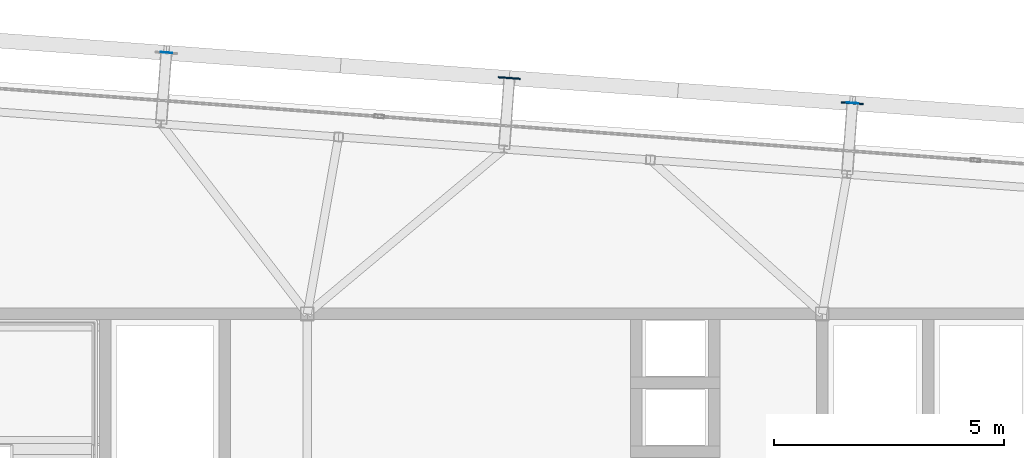
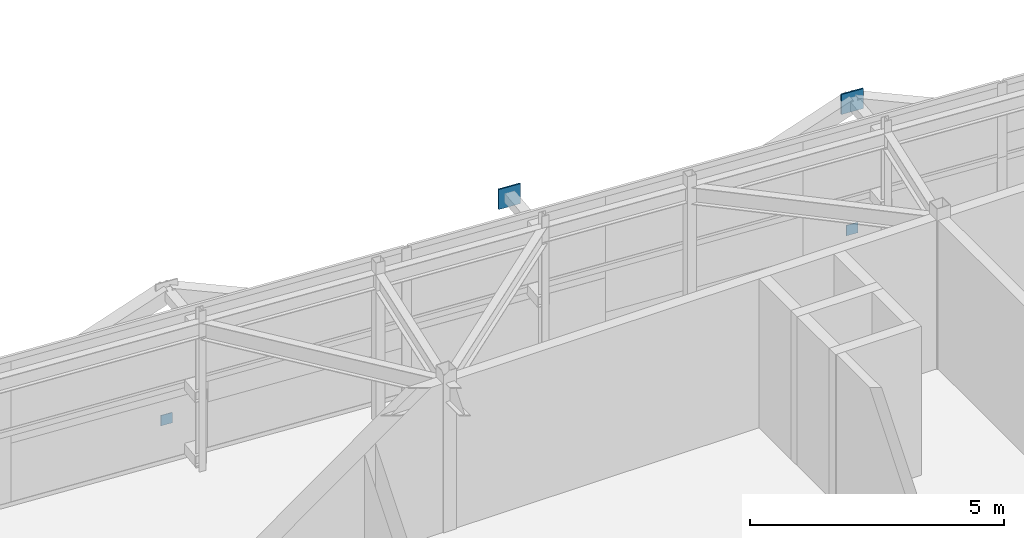
# One storey, part 29 of 35: 4 plates.
"""IFC4 building model written with IfcOpenShell, lengths in metres."""

import ifcopenshell
import ifcopenshell.guid

model = None  # the IFC model being written
_history = None  # IfcOwnerHistory: only IFC2X3 demands one
_inside = {}  # id of a spatial element -> (the spatial element, [elements in it])
_under = {}  # id of a project, library or spatial element -> (it, [spatial elements below it])
_declared = {}  # id of a project -> (the project, [libraries it declares])
_typed = {}  # id of a type object -> (the type object, [elements of that type])
_made_of = {}  # id of a material, layer set ... -> (it, [elements and type objects made of it])


def new_model(schema):
    """Start an empty IFC model of exactly this schema.

    Asked for "IFC4X3", IfcOpenShell would pick the latest addendum, in which some entities
    have other attributes; the version numbers below select the first issue.
    IFC2X3 requires an IfcOwnerHistory on every rooted entity: one is made here for all.
    """
    global model, _history
    if schema == "IFC4X3":
        model = ifcopenshell.file(schema_version=(4, 3, 0, 0))
    else:
        model = ifcopenshell.file(schema=schema)
    _inside.clear()
    _under.clear()
    _declared.clear()
    _typed.clear()
    _made_of.clear()
    _history = None
    if model.schema == "IFC2X3":
        org = make("IfcOrganization", Name="unknown")
        user = make(
            "IfcPersonAndOrganization",
            ThePerson=make("IfcPerson", FamilyName="unknown"),
            TheOrganization=org,
        )
        app = make(
            "IfcApplication",
            ApplicationDeveloper=org,
            Version="unknown",
            ApplicationFullName="unknown",
            ApplicationIdentifier="unknown",
        )
        _history = make(
            "IfcOwnerHistory",
            OwningUser=user,
            OwningApplication=app,
            ChangeAction="ADDED",
            CreationDate=0,
        )
    return model


def make(cls, **values):
    """One entity of the class cls with the attributes given. An attribute that is None is left unset."""
    return model.create_entity(
        cls, **{name: value for name, value in values.items() if value is not None}
    )


def rooted(cls, **values):
    """An entity with a GlobalId (a new one), such as an element, a storey or a relation."""
    return make(cls, GlobalId=ifcopenshell.guid.new(), OwnerHistory=_history, **values)


def si_unit(unit_type, name, prefix=None):
    """IfcSIUnit, for example si_unit("LENGTHUNIT", "METRE", prefix="MILLI")."""
    return make("IfcSIUnit", UnitType=unit_type, Prefix=prefix, Name=name)


def assignment(units):
    """IfcUnitAssignment: the units of a project."""
    return None if units is None else make("IfcUnitAssignment", Units=units)


def point(xyz):
    """IfcCartesianPoint."""
    return None if xyz is None else make("IfcCartesianPoint", Coordinates=xyz)


def direction(xyz):
    """IfcDirection."""
    return None if xyz is None else make("IfcDirection", DirectionRatios=xyz)


def frame(location, z_axis=None, x_axis=None):
    """IfcAxis2Placement3D, a coordinate frame: its origin and axes. An axis left out is left unset."""
    return make(
        "IfcAxis2Placement3D",
        Location=point(location),
        Axis=direction(z_axis),
        RefDirection=direction(x_axis),
    )


def frame_2d(location, x_axis=None):
    """IfcAxis2Placement2D, a coordinate frame in the plane: its origin and x axis."""
    return make(
        "IfcAxis2Placement2D", Location=point(location), RefDirection=direction(x_axis)
    )


def origin():
    """The frame at (0, 0, 0) with its axes left unset."""
    return frame((0.0, 0.0, 0.0))


def origin_2d():
    """The frame at (0, 0) in the plane with its x axis left unset."""
    return frame_2d((0.0, 0.0))


def place(relative_to, where):
    """IfcLocalPlacement: puts the frame where relative to a parent placement (None: the world)."""
    return make(
        "IfcLocalPlacement", PlacementRelTo=relative_to, RelativePlacement=where
    )


def context(
    kind, dimensions, precision=None, world=None, true_north=None, identifier=None
):
    """IfcGeometricRepresentationContext, for example the 3D "Model" context."""
    return make(
        "IfcGeometricRepresentationContext",
        ContextIdentifier=identifier,
        ContextType=kind,
        CoordinateSpaceDimension=dimensions,
        Precision=precision,
        WorldCoordinateSystem=world,
        TrueNorth=true_north,
    )


def subcontext(parent, identifier, kind, view, scale=None):
    """IfcGeometricRepresentationSubContext, for example "Body" below "Model"."""
    return make(
        "IfcGeometricRepresentationSubContext",
        ContextIdentifier=identifier,
        ContextType=kind,
        ParentContext=parent,
        TargetScale=scale,
        TargetView=view,
    )


def project(units=None, contexts=None):
    """IfcProject with its units and contexts."""
    return rooted(
        "IfcProject",
        Name="project",
        RepresentationContexts=contexts,
        UnitsInContext=assignment(units),
    )


def spatial(cls, under=None, at=None, **own):
    """A site, building, storey or space (cls), placed at a placement, below another one or the project."""
    s = rooted(cls, ObjectPlacement=at, **own)
    if under is not None:
        _under.setdefault(under.id(), (under, []))[1].append(s)
    return s


def profile(cls, at=None, kind="AREA", **sizes):
    """A parametric profile (cls). Its sizes go by their IFC names, for example OverallWidth=200.0."""
    return make(cls, ProfileType=kind, Position=at, **sizes)


def rectangle(**sizes):
    """IfcRectangleProfileDef."""
    return profile("IfcRectangleProfileDef", **sizes)


def extrude(swept, where, along, depth):
    """IfcExtrudedAreaSolid: the profile swept, set in the frame where, extruded along a direction by depth."""
    return make(
        "IfcExtrudedAreaSolid",
        SweptArea=swept,
        Position=where,
        ExtrudedDirection=direction(along),
        Depth=depth,
    )


def shape(context_of_items, identifier, shape_type, items):
    """IfcShapeRepresentation: the items that make up one representation, for example the "Body"."""
    return make(
        "IfcShapeRepresentation",
        ContextOfItems=context_of_items,
        RepresentationIdentifier=identifier,
        RepresentationType=shape_type,
        Items=items,
    )


def source(mapping_origin, context_of_items, identifier, shape_type, items):
    """IfcRepresentationMap: a shape defined once, which mapped items show again and again."""
    return make(
        "IfcRepresentationMap",
        MappingOrigin=mapping_origin,
        MappedRepresentation=shape(context_of_items, identifier, shape_type, items),
    )


def transform(
    local_origin,
    x_axis=None,
    y_axis=None,
    z_axis=None,
    scale=None,
    scale2=None,
    scale3=None,
    uniform=True,
):
    """IfcCartesianTransformationOperator3D, or its non-uniform kind. x_axis, y_axis, z_axis: its Axis1, 2, 3."""
    if uniform:
        return make(
            "IfcCartesianTransformationOperator3D",
            Axis1=direction(x_axis),
            Axis2=direction(y_axis),
            LocalOrigin=point(local_origin),
            Scale=scale,
            Axis3=direction(z_axis),
        )
    return make(
        "IfcCartesianTransformationOperator3DnonUniform",
        Axis1=direction(x_axis),
        Axis2=direction(y_axis),
        LocalOrigin=point(local_origin),
        Scale=scale,
        Axis3=direction(z_axis),
        Scale2=scale2,
        Scale3=scale3,
    )


def mapped(mapping_source, mapping_target):
    """IfcMappedItem: shows the shape of a source again, moved by a transform."""
    return make(
        "IfcMappedItem", MappingSource=mapping_source, MappingTarget=mapping_target
    )


def material(Name=None, Category=None):
    """IfcMaterial."""
    return make("IfcMaterial", Name=Name, Category=Category)


def layer(
    of_material, thickness, ventilated=None, Name=None, Category=None, Priority=None
):
    """IfcMaterialLayer: one layer of a wall or slab, of a material (None: an air gap)."""
    return make(
        "IfcMaterialLayer",
        Material=of_material,
        LayerThickness=thickness,
        IsVentilated=ventilated,
        Name=Name,
        Category=Category,
        Priority=Priority,
    )


def layer_set(layers, Name=None):
    """IfcMaterialLayerSet."""
    return make("IfcMaterialLayerSet", MaterialLayers=layers, LayerSetName=Name)


def made_of(thing, what):
    """Note that an element or type object is made of a material, layer set ...; save() writes the relation."""
    if what is not None:
        _made_of.setdefault(what.id(), (what, []))[1].append(thing)
    return thing


def type_object(cls, material=None, **own):
    """A type object (cls), such as IfcWallType, which elements share."""
    return made_of(rooted(cls, **own), material)


def element(
    cls,
    number,
    at=None,
    inside=None,
    cuts=None,
    type_object=None,
    material=None,
    context=None,
    identifier="Body",
    shape_type=None,
    held_by="IfcProductDefinitionShape",
    body=None,
    shapes=None,
    **own,
):
    """One element of the class cls, such as IfcWall. Its Tag is "e" and its number.

    at: its placement. inside: the storey or other place that contains it. cuts: it is an
    opening in that element (IfcRelVoidsElement). A single representation is given by context,
    identifier, shape_type and body (its items); several are given by shapes. held_by: the class
    of the entity that holds the representations. save() writes the other relations.
    """
    e = rooted(cls, Tag="e%d" % number, ObjectPlacement=at, **own)
    if body is not None:
        shapes = [shape(context, identifier, shape_type, body)]
    if shapes is not None:
        e.Representation = make(held_by, Representations=shapes)
    if inside is not None:
        _inside.setdefault(inside.id(), (inside, []))[1].append(e)
    if cuts is not None:
        rooted(
            "IfcRelVoidsElement", RelatingBuildingElement=cuts, RelatedOpeningElement=e
        )
    if type_object is not None:
        _typed.setdefault(type_object.id(), (type_object, []))[1].append(e)
    return made_of(e, material)


def aggregate(whole, parts):
    """IfcRelAggregates: a whole, such as a stair, and the parts it consists of."""
    return rooted("IfcRelAggregates", RelatingObject=whole, RelatedObjects=parts)


def save(model, path):
    """Write the relations noted so far, then the file.

    IfcRelAggregates (storeys below a building ...), IfcRelContainedInSpatialStructure (elements
    in a storey), IfcRelDefinesByType, IfcRelAssociatesMaterial and IfcRelDeclares: one each for
    every whole, place, type object, material and project.
    """
    for whole, parts in _under.values():
        aggregate(whole, parts)
    for where, things in _inside.values():
        rooted(
            "IfcRelContainedInSpatialStructure",
            RelatedElements=things,
            RelatingStructure=where,
        )
    for kind, things in _typed.values():
        rooted("IfcRelDefinesByType", RelatedObjects=things, RelatingType=kind)
    for what, things in _made_of.values():
        rooted("IfcRelAssociatesMaterial", RelatedObjects=things, RelatingMaterial=what)
    for by, libraries in _declared.values():
        rooted("IfcRelDeclares", RelatingContext=by, RelatedDefinitions=libraries)
    model.write(path)


model = new_model("IFC4")

# Units and contexts
model_context = context("Model", 3, precision=1e-05, world=origin(), true_north=direction((0.0, 1.0)))
body_context = subcontext(model_context, "Body", "Model", "MODEL_VIEW")
ifc_project = project(units=[si_unit("LENGTHUNIT", "METRE"), si_unit("AREAUNIT", "SQUARE_METRE"), si_unit("VOLUMEUNIT", "CUBIC_METRE"), si_unit("PLANEANGLEUNIT", "RADIAN"), si_unit("MASSUNIT", "GRAM", prefix="KILO")], contexts=[model_context])

# Site, building, storey
site_placement = place(None, origin())
site = spatial("IfcSite", under=ifc_project, at=site_placement, CompositionType="ELEMENT")
building_placement = place(site_placement, origin())
building = spatial("IfcBuilding", under=site, at=building_placement, Name="Taldren Reach Tower", CompositionType="ELEMENT")
storey_placement = place(building_placement, frame((0.0, 0.0, 249.199951171875)))
storey = spatial("IfcBuildingStorey", under=building, at=storey_placement, Name="L76", CompositionType="ELEMENT", Elevation=249.199951171875)

# Plates
ifc_material_1 = material(Name="Steel Gr 350 (C350L0)", Category="steel")
ifc_layer_1 = layer(ifc_material_1, 0.011962890625)
ifc_layer_set_1 = layer_set([ifc_layer_1], Name="Steel Gr 350 (C350L0)")
plate_type_1 = type_object("IfcPlateType", Name="PL-CAP-250", PredefinedType="SHEET", material=ifc_layer_set_1)
shared_shape_1 = source(origin(), body_context, "Body", "SweptSolid", [
    extrude(rectangle(XDim=0.25, YDim=0.011962890625, at=origin_2d()), origin(), (0.0, 0.0, 1.0), 0.25),
])
for number, where, z_axis, x_axis, name in (
    (1, (24.93359375, 37.682861328125, 0.094970703125), (0.0, 0.0, 1.0), (0.997314477224, -0.073238197128, 0.0), "Tie strut end cap plate B5-N2 L76"),
    (2, (39.853515625, 36.587158203125, 0.094970703125), (0.0, 0.0, 1.0), (0.997314477224, -0.073238197128, 0.0), "Tie strut end cap plate B5-N4 L76"),
):
    element("IfcPlate", number, at=place(storey_placement, frame(where, z_axis=z_axis, x_axis=x_axis)), inside=storey, type_object=plate_type_1, Name=name, PredefinedType="SHEET", context=body_context, shape_type="MappedRepresentation", body=[
        mapped(shared_shape_1, transform((0.0, 0.0, 0.0), scale=1.0)),
    ])
ifc_material_2 = material(Name="Steel Gr 450 (C450L0)", Category="steel")
ifc_layer_2 = layer(ifc_material_2, 0.031982421875)
ifc_layer_set_2 = layer_set([ifc_layer_2], Name="Steel Gr 450 (C450L0)")
plate_type_2 = type_object("IfcPlateType", Name="PL-GUSSET-32", PredefinedType="SHEET", material=ifc_layer_set_2)
shared_shape_2 = source(origin(), body_context, "Body", "SweptSolid", [
    extrude(rectangle(XDim=0.47998046875, YDim=0.031982421875, at=origin_2d()), origin(), (0.0, 0.0, 1.0), 0.47998046875),
])
for number, where, z_axis, x_axis, name in (
    (3, (32.39306640625, 37.129150390625, 3.050048828125), (0.0, 0.0, 1.0), (0.997314477224, -0.073238197128, 0.0), "Exoskeleton star-node gusset plate B5-N3 L76"),
    (4, (39.85302734375, 36.581298828125, 3.050048828125), (0.0, 0.0, 1.0), (0.997314477224, -0.073238197128, 0.0), "Exoskeleton star-node gusset plate B5-N4 L76"),
):
    element("IfcPlate", number, at=place(storey_placement, frame(where, z_axis=z_axis, x_axis=x_axis)), inside=storey, type_object=plate_type_2, Name=name, PredefinedType="SHEET", context=body_context, shape_type="MappedRepresentation", body=[
        mapped(shared_shape_2, transform((0.0, 0.0, 0.0), scale=1.0)),
    ])

save(model, "model.ifc")
